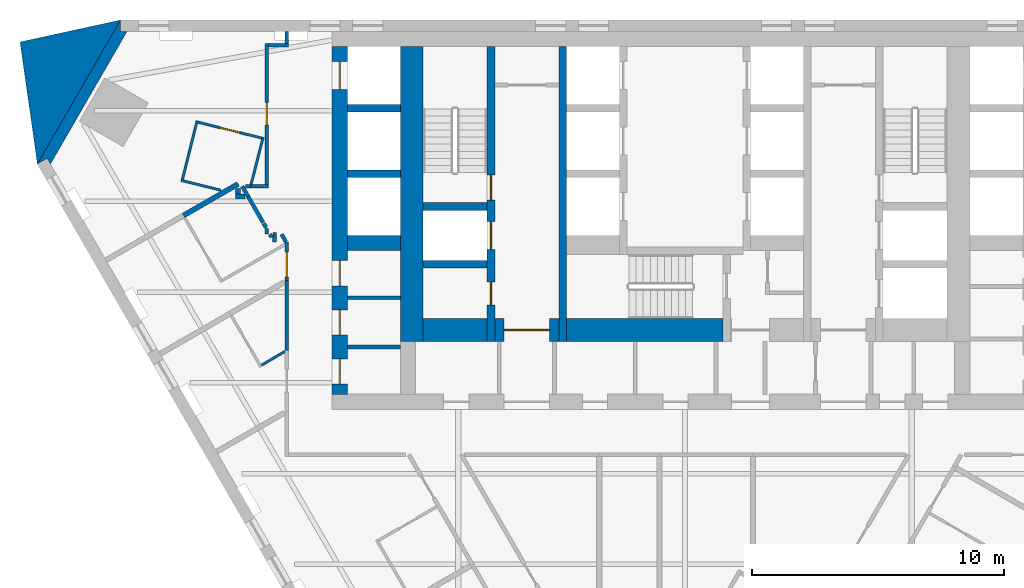
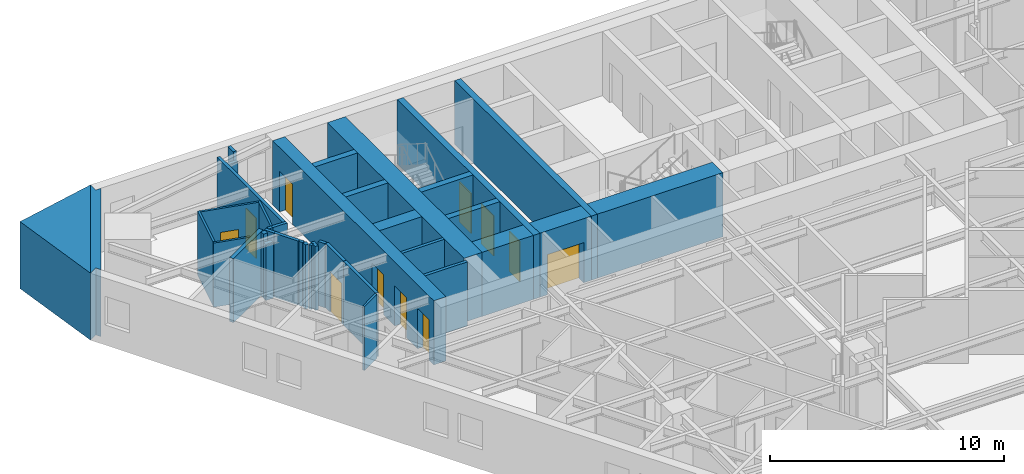
# One storey, part 6 of 11: 38 walls, 11 doors, 11 openings.
"""IFC4 building model written with IfcOpenShell, lengths in metres."""

from ifc_helpers import new_model, si_unit, direction, frame, frame_2d, origin, place, context, subcontext, project, spatial, polyline, rectangle, outline, extrude, material, layer, layer_set, type_object, element, fill, save


model = new_model("IFC4")

# Units and contexts
model_context = context("Model", 3, precision=1e-05, world=origin(), true_north=direction((0.0, 1.0)))
body_context = subcontext(model_context, "Body", "Model", "MODEL_VIEW")
ifc_project = project(units=[si_unit("LENGTHUNIT", "METRE"), si_unit("AREAUNIT", "SQUARE_METRE"), si_unit("VOLUMEUNIT", "CUBIC_METRE"), si_unit("PLANEANGLEUNIT", "RADIAN"), si_unit("MASSUNIT", "GRAM", prefix="KILO")], contexts=[model_context])

# Site, building, storey
site_placement = place(None, origin())
site = spatial("IfcSite", under=ifc_project, at=site_placement, CompositionType="ELEMENT")
building_placement = place(site_placement, origin())
building = spatial("IfcBuilding", under=site, at=building_placement, Name="Aloe Facet Convention Tower", CompositionType="ELEMENT")
storey_placement = place(building_placement, frame((0.0, 0.0, 66.5)))
storey = spatial("IfcBuildingStorey", under=building, at=storey_placement, Name="L15", CompositionType="ELEMENT", Elevation=66.5)

# Walls
ifc_material_1 = material(Name="Concrete blockwork partition", Category="masonry")
ifc_layer_1 = layer(ifc_material_1, 0.14990234375)
ifc_layer_set_1 = layer_set([ifc_layer_1], Name="CR-W-PART150")
wall_type_1 = type_object("IfcWallType", Name="CR-W-PART150", PredefinedType="PARTITIONING", material=ifc_layer_set_1)
for number, where, z_axis, x_axis, name in (
    (1, (66.60009765625, 123.97509765625, 0.0), (0.0, 0.0, 1.0), (1.0, 0.0, 0.0), "Core partition L15-007"),
    (2, (66.60009765625, 122.02490234375, 0.0), (0.0, 0.0, 1.0), (1.0, 0.0, 0.0), "Core partition L15-008"),
):
    element("IfcWall", number, at=place(storey_placement, frame(where, z_axis=z_axis, x_axis=x_axis)), inside=storey, type_object=wall_type_1, Name=name, PredefinedType="PARTITIONING", context=body_context, shape_type="SweptSolid", body=[
        extrude(rectangle(XDim=2.099853515625, YDim=0.14990234375, at=frame_2d((1.0498046875, 0.0))), origin(), (0.0, 0.0, 1.0), 3.35009765625),
    ])
ifc_material_2 = material(Name="Concrete C80/95", Category="concrete")
ifc_layer_2 = layer(ifc_material_2, 0.300048828125)
ifc_layer_set_2 = layer_set([ifc_layer_2], Name="CR-W-RC300-C8095")
wall_type_2 = type_object("IfcWallType", Name="CR-W-RC300-C8095", PredefinedType="SOLIDWALL", material=ifc_layer_set_2)
for number, where, z_axis, x_axis, name in (
    (3, (66.60009765625, 131.5, 0.0), (0.0, 0.0, 1.0), (1.0, 0.0, 0.0), "Core wall L15-004"),
    (4, (66.60009765625, 128.89990234375, 0.0), (0.0, 0.0, 1.0), (1.0, 0.0, 0.0), "Core wall L15-005"),
):
    element("IfcWall", number, at=place(storey_placement, frame(where, z_axis=z_axis, x_axis=x_axis)), inside=storey, type_object=wall_type_2, Name=name, PredefinedType="SOLIDWALL", context=body_context, shape_type="SweptSolid", body=[
        extrude(rectangle(XDim=2.099853515625, YDim=0.300048828125, at=frame_2d((1.0498046875, 0.0))), origin(), (0.0, 0.0, 1.0), 3.35009765625),
    ])
for number, where, z_axis, x_axis, name in (
    (5, (69.60009765625, 127.60009765625, 0.0), (0.0, 0.0, 1.0), (1.0, 0.0, 0.0), "Core wall L15-011"),
    (6, (69.60009765625, 125.300048828125, 0.0), (0.0, 0.0, 1.0), (1.0, 0.0, 0.0), "Core wall L15-012"),
):
    element("IfcWall", number, at=place(storey_placement, frame(where, z_axis=z_axis, x_axis=x_axis)), inside=storey, type_object=wall_type_2, Name=name, PredefinedType="SOLIDWALL", context=body_context, shape_type="SweptSolid", body=[
        extrude(rectangle(XDim=2.5498046875, YDim=0.300048828125, at=frame_2d((1.27490234375, 0.0))), origin(), (0.0, 0.0, 1.0), 3.35009765625),
    ])

# Wall, openings, doors
wall_1_placement = place(storey_placement, frame((72.300048828125, 133.949951171875, 0.0), z_axis=(0.0, 0.0, 1.0), x_axis=(0.0, -1.0, 0.0)))
wall_1 = element("IfcWall", 7, at=wall_1_placement, inside=storey, type_object=wall_type_2, Name="Core wall L15-014", PredefinedType="SOLIDWALL", context=body_context, shape_type="SweptSolid", body=[
    extrude(rectangle(XDim=11.699951171875, YDim=0.300048828125, at=frame_2d((5.85009765625, 0.0))), origin(), (0.0, 0.0, 1.0), 3.35009765625),
])
opening_1_placement = place(wall_1_placement, frame((6.949951171875, 0.0, 0.0)))
opening_1 = element("IfcOpeningElement", 8, at=opening_1_placement, cuts=wall_1, Name="Opening LD-FF1-L15", PredefinedType="OPENING", context=body_context, shape_type="SweptSolid", body=[
    extrude(rectangle(XDim=1.10009765625, YDim=2.10009765625, at=frame_2d((0.550048828125, 1.050048828125))), frame((0.0, 0.16015625, 0.0), z_axis=(0.0, -1.0, 0.0), x_axis=(1.0, 0.0, 0.0)), (0.0, 0.0, 1.0), 0.320068359375),
])
opening_2_placement = place(wall_1_placement, frame((9.35009765625, 0.0, 0.0)))
opening_2 = element("IfcOpeningElement", 9, at=opening_2_placement, cuts=wall_1, Name="Opening L15-CD23", PredefinedType="OPENING", context=body_context, shape_type="SweptSolid", body=[
    extrude(rectangle(XDim=0.89990234375, YDim=2.10009765625, at=frame_2d((0.449951171875, 1.050048828125))), frame((0.0, 0.16015625, 0.0), z_axis=(0.0, -1.0, 0.0), x_axis=(1.0, 0.0, 0.0)), (0.0, 0.0, 1.0), 0.320068359375),
])
opening_3_placement = place(wall_1_placement, frame((5.10009765625, 0.0, 0.0)))
opening_3 = element("IfcOpeningElement", 10, at=opening_3_placement, cuts=wall_1, Name="Opening L15-CD30", PredefinedType="OPENING", context=body_context, shape_type="SweptSolid", body=[
    extrude(rectangle(XDim=1.0, YDim=2.10009765625, at=frame_2d((0.5, 1.050048828125))), frame((0.0, 0.16015625, 0.0), z_axis=(0.0, -1.0, 0.0), x_axis=(1.0, 0.0, 0.0)), (0.0, 0.0, 1.0), 0.320068359375),
])
ifc_material_3 = material(Name="Steel fire-resisting door set FD60", Category="steel")
door_type_1 = type_object("IfcDoorType", Name="CR-D-ROOM-900-FD60-SLEFT", OperationType="SINGLE_SWING_LEFT", PredefinedType="DOOR", material=ifc_material_3)
door_1_placement = place(opening_2_placement, origin())
door_1 = element("IfcDoor", 11, at=door_1_placement, inside=storey, type_object=door_type_1, Name="Core door L15-CD23", OperationType="SINGLE_SWING_LEFT", OverallHeight=2.10009765625, OverallWidth=0.89990234375, PredefinedType="DOOR", context=body_context, shape_type="SweptSolid", body=[
    extrude(rectangle(XDim=0.89990234375, YDim=2.10009765625, at=frame_2d((0.449951171875, 1.050048828125))), frame((0.0, 0.02490234375, 0.0), z_axis=(0.0, -1.0, 0.0), x_axis=(1.0, 0.0, 0.0)), (0.0, 0.0, 1.0), 0.050048828125),
])
fill(opening_2, door_1)
ifc_material_4 = material(Name="Steel fire-resisting door set FD120", Category="steel")
door_type_2 = type_object("IfcDoorType", Name="CR-D-STAIR-1000-FD120-SRIGHT", OperationType="SINGLE_SWING_RIGHT", PredefinedType="DOOR", material=ifc_material_4)
door_2_placement = place(opening_3_placement, origin())
door_2 = element("IfcDoor", 12, at=door_2_placement, inside=storey, type_object=door_type_2, Name="Core door L15-CD30", OperationType="SINGLE_SWING_RIGHT", OverallHeight=2.10009765625, OverallWidth=1.0, PredefinedType="DOOR", context=body_context, shape_type="SweptSolid", body=[
    extrude(rectangle(XDim=1.0, YDim=2.10009765625, at=frame_2d((0.5, 1.050048828125))), frame((0.0, 0.02490234375, 0.0), z_axis=(0.0, -1.0, 0.0), x_axis=(1.0, 0.0, 0.0)), (0.0, 0.0, 1.0), 0.050048828125),
])
fill(opening_3, door_2)
ifc_material_5 = material(Name="Stainless steel sliding landing door", Category="steel")
door_type_3 = type_object("IfcDoorType", Name="CR-LD-1100-FD120-_LEFT", OperationType="SLIDING_TO_LEFT", PredefinedType="DOOR", material=ifc_material_5)
door_3_placement = place(opening_1_placement, origin())
door_3 = element("IfcDoor", 13, at=door_3_placement, inside=storey, type_object=door_type_3, Name="Landing door FF1 L15", OperationType="SLIDING_TO_LEFT", OverallHeight=2.10009765625, OverallWidth=1.10009765625, PredefinedType="DOOR", context=body_context, shape_type="SweptSolid", body=[
    extrude(rectangle(XDim=1.10009765625, YDim=2.10009765625, at=frame_2d((0.550048828125, 1.050048828125))), frame((0.0, 0.02490234375, 0.0), z_axis=(0.0, -1.0, 0.0), x_axis=(1.0, 0.0, 0.0)), (0.0, 0.0, 1.0), 0.050048828125),
])
fill(opening_1, door_3)

# Wall
wall_2_placement = place(storey_placement, frame((75.14990234375, 133.949951171875, 0.0), z_axis=(0.0, 0.0, 1.0), x_axis=(0.0, -1.0, 0.0)))
element("IfcWall", 14, at=wall_2_placement, inside=storey, type_object=wall_type_2, Name="Core wall L15-019", PredefinedType="SOLIDWALL", context=body_context, shape_type="SweptSolid", body=[
    extrude(rectangle(XDim=11.699951171875, YDim=0.300048828125, at=frame_2d((5.85009765625, 0.0))), origin(), (0.0, 0.0, 1.0), 3.35009765625),
])

# Wall, openings, doors
ifc_material_6 = material(Name="Concrete C80/95", Category="concrete")
ifc_layer_3 = layer(ifc_material_6, 0.60009765625)
ifc_layer_set_3 = layer_set([ifc_layer_3], Name="CR-W-RC600-C8095")
wall_type_3 = type_object("IfcWallType", Name="CR-W-RC600-C8095", PredefinedType="SOLIDWALL", material=ifc_layer_set_3)
wall_3_placement = place(storey_placement, frame((66.300048828125, 133.949951171875, 0.0), z_axis=(0.0, 0.0, 1.0), x_axis=(0.0, -1.0, 0.0)))
wall_3 = element("IfcWall", 15, at=wall_3_placement, inside=storey, type_object=wall_type_3, Name="Core wall L15-002", PredefinedType="SOLIDWALL", context=body_context, shape_type="SweptSolid", body=[
    extrude(rectangle(XDim=13.800048828125, YDim=0.60009765625, at=frame_2d((6.89990234375, 0.0))), origin(), (0.0, 0.0, 1.0), 3.35009765625),
])
opening_4_placement = place(wall_3_placement, frame((0.60009765625, 0.0, 0.0)))
opening_4 = element("IfcOpeningElement", 16, at=opening_4_placement, cuts=wall_3, Name="Opening LD-A7-L15", PredefinedType="OPENING", context=body_context, shape_type="SweptSolid", body=[
    extrude(rectangle(XDim=1.10009765625, YDim=2.10009765625, at=frame_2d((0.550048828125, 1.050048828125))), frame((0.0, 0.31005859375, 0.0), z_axis=(0.0, -1.0, 0.0), x_axis=(1.0, 0.0, 0.0)), (0.0, 0.0, 1.0), 0.6201171875),
])
opening_5_placement = place(wall_3_placement, frame((12.39990234375, 0.0, 0.0)))
opening_5 = element("IfcOpeningElement", 17, at=opening_5_placement, cuts=wall_3, Name="Opening L15-CD34", PredefinedType="OPENING", context=body_context, shape_type="SweptSolid", body=[
    extrude(rectangle(XDim=1.0, YDim=2.10009765625, at=frame_2d((0.5, 1.050048828125))), frame((0.0, 0.31005859375, 0.0), z_axis=(0.0, -1.0, 0.0), x_axis=(1.0, 0.0, 0.0)), (0.0, 0.0, 1.0), 0.6201171875),
])
opening_6_placement = place(wall_3_placement, frame((8.5, 0.0, 0.0)))
opening_6 = element("IfcOpeningElement", 18, at=opening_6_placement, cuts=wall_3, Name="Opening L15-CD35", PredefinedType="OPENING", context=body_context, shape_type="SweptSolid", body=[
    extrude(rectangle(XDim=1.0, YDim=2.10009765625, at=frame_2d((0.5, 1.050048828125))), frame((0.0, 0.31005859375, 0.0), z_axis=(0.0, -1.0, 0.0), x_axis=(1.0, 0.0, 0.0)), (0.0, 0.0, 1.0), 0.6201171875),
])
opening_7_placement = place(wall_3_placement, frame((10.449951171875, 0.0, 0.0)))
opening_7 = element("IfcOpeningElement", 19, at=opening_7_placement, cuts=wall_3, Name="Opening L15-CD36", PredefinedType="OPENING", context=body_context, shape_type="SweptSolid", body=[
    extrude(rectangle(XDim=1.0, YDim=2.10009765625, at=frame_2d((0.5, 1.050048828125))), frame((0.0, 0.31005859375, 0.0), z_axis=(0.0, -1.0, 0.0), x_axis=(1.0, 0.0, 0.0)), (0.0, 0.0, 1.0), 0.6201171875),
])
ifc_material_7 = material(Name="Steel fire-resisting door set FD60", Category="steel")
door_type_4 = type_object("IfcDoorType", Name="CR-D-ROOM-1000-FD60-SLEFT", OperationType="SINGLE_SWING_LEFT", PredefinedType="DOOR", material=ifc_material_7)
door_4_placement = place(opening_5_placement, origin())
door_4 = element("IfcDoor", 20, at=door_4_placement, inside=storey, type_object=door_type_4, Name="Core door L15-CD34", OperationType="SINGLE_SWING_LEFT", OverallHeight=2.10009765625, OverallWidth=1.0, PredefinedType="DOOR", context=body_context, shape_type="SweptSolid", body=[
    extrude(rectangle(XDim=1.0, YDim=2.10009765625, at=frame_2d((0.5, 1.050048828125))), frame((0.0, 0.02490234375, 0.0), z_axis=(0.0, -1.0, 0.0), x_axis=(1.0, 0.0, 0.0)), (0.0, 0.0, 1.0), 0.050048828125),
])
fill(opening_5, door_4)
door_5_placement = place(opening_6_placement, origin())
door_5 = element("IfcDoor", 21, at=door_5_placement, inside=storey, type_object=door_type_4, Name="Core door L15-CD35", OperationType="SINGLE_SWING_LEFT", OverallHeight=2.10009765625, OverallWidth=1.0, PredefinedType="DOOR", context=body_context, shape_type="SweptSolid", body=[
    extrude(rectangle(XDim=1.0, YDim=2.10009765625, at=frame_2d((0.5, 1.050048828125))), frame((0.0, 0.02490234375, 0.0), z_axis=(0.0, -1.0, 0.0), x_axis=(1.0, 0.0, 0.0)), (0.0, 0.0, 1.0), 0.050048828125),
])
fill(opening_6, door_5)
door_6_placement = place(opening_7_placement, origin())
door_6 = element("IfcDoor", 22, at=door_6_placement, inside=storey, type_object=door_type_4, Name="Core door L15-CD36", OperationType="SINGLE_SWING_LEFT", OverallHeight=2.10009765625, OverallWidth=1.0, PredefinedType="DOOR", context=body_context, shape_type="SweptSolid", body=[
    extrude(rectangle(XDim=1.0, YDim=2.10009765625, at=frame_2d((0.5, 1.050048828125))), frame((0.0, 0.02490234375, 0.0), z_axis=(0.0, -1.0, 0.0), x_axis=(1.0, 0.0, 0.0)), (0.0, 0.0, 1.0), 0.050048828125),
])
fill(opening_7, door_6)
ifc_material_8 = material(Name="Stainless steel sliding landing door", Category="steel")
door_type_5 = type_object("IfcDoorType", Name="CR-LD-1100-FD60-_LEFT", OperationType="SLIDING_TO_LEFT", PredefinedType="DOOR", material=ifc_material_8)
door_7_placement = place(opening_4_placement, origin())
door_7 = element("IfcDoor", 23, at=door_7_placement, inside=storey, type_object=door_type_5, Name="Landing door A7 L15", OperationType="SLIDING_TO_LEFT", OverallHeight=2.10009765625, OverallWidth=1.10009765625, PredefinedType="DOOR", context=body_context, shape_type="SweptSolid", body=[
    extrude(rectangle(XDim=1.10009765625, YDim=2.10009765625, at=frame_2d((0.550048828125, 1.050048828125))), frame((0.0, 0.02490234375, 0.0), z_axis=(0.0, -1.0, 0.0), x_axis=(1.0, 0.0, 0.0)), (0.0, 0.0, 1.0), 0.050048828125),
])
fill(opening_4, door_7)

# Walls
wall_4_placement = place(storey_placement, frame((66.60009765625, 126.14990234375, 0.0), z_axis=(0.0, 0.0, 1.0), x_axis=(1.0, 0.0, 0.0)))
element("IfcWall", 24, at=wall_4_placement, inside=storey, type_object=wall_type_3, Name="Core wall L15-006", PredefinedType="SOLIDWALL", context=body_context, shape_type="SweptSolid", body=[
    extrude(rectangle(XDim=2.099853515625, YDim=0.60009765625, at=frame_2d((1.0498046875, 0.0))), origin(), (0.0, 0.0, 1.0), 3.35009765625),
])
ifc_material_9 = material(Name="Concrete C80/95", Category="concrete")
ifc_layer_4 = layer(ifc_material_9, 0.89990234375)
ifc_layer_set_4 = layer_set([ifc_layer_4], Name="CR-W-RC900-C8095")
wall_type_4 = type_object("IfcWallType", Name="CR-W-RC900-C8095", PredefinedType="SOLIDWALL", material=ifc_layer_set_4)
wall_5_placement = place(storey_placement, frame((69.14990234375, 133.949951171875, 0.0), z_axis=(0.0, 0.0, 1.0), x_axis=(0.0, -1.0, 0.0)))
element("IfcWall", 25, at=wall_5_placement, inside=storey, type_object=wall_type_4, Name="Core wall L15-009", PredefinedType="SOLIDWALL", context=body_context, shape_type="SweptSolid", body=[
    extrude(rectangle(XDim=11.699951171875, YDim=0.89990234375, at=frame_2d((5.85009765625, 0.0))), origin(), (0.0, 0.0, 1.0), 3.35009765625),
])
wall_6_placement = place(storey_placement, frame((69.60009765625, 122.699951171875, 0.0), z_axis=(0.0, 0.0, 1.0), x_axis=(1.0, 0.0, 0.0)))
element("IfcWall", 26, at=wall_6_placement, inside=storey, type_object=wall_type_4, Name="Core wall L15-013", PredefinedType="SOLIDWALL", context=body_context, shape_type="SweptSolid", body=[
    extrude(rectangle(XDim=2.5498046875, YDim=0.89990234375, at=frame_2d((1.27490234375, 0.0))), origin(), (0.0, 0.0, 1.0), 3.35009765625),
])

# Wall, opening, door
wall_7_placement = place(storey_placement, frame((72.449951171875, 122.699951171875, 0.0), z_axis=(0.0, 0.0, 1.0), x_axis=(1.0, 0.0, 0.0)))
wall_7 = element("IfcWall", 27, at=wall_7_placement, inside=storey, type_object=wall_type_4, Name="Core wall L15-016", PredefinedType="SOLIDWALL", context=body_context, shape_type="SweptSolid", body=[
    extrude(rectangle(XDim=2.550048828125, YDim=0.89990234375, at=frame_2d((1.27490234375, 0.0))), origin(), (0.0, 0.0, 1.0), 3.35009765625),
])
opening_8_placement = place(wall_7_placement, frame((0.375, 0.0, 0.0)))
opening_8 = element("IfcOpeningElement", 28, at=opening_8_placement, cuts=wall_7, Name="Opening L15-CD15", PredefinedType="OPENING", context=body_context, shape_type="SweptSolid", body=[
    extrude(rectangle(XDim=1.800048828125, YDim=2.10009765625, at=frame_2d((0.89990234375, 1.050048828125))), frame((0.0, 0.4599609375, 0.0), z_axis=(0.0, -1.0, 0.0), x_axis=(1.0, 0.0, 0.0)), (0.0, 0.0, 1.0), 0.919921875),
])
ifc_material_10 = material(Name="Steel fire-resisting door set FD120", Category="steel")
door_type_6 = type_object("IfcDoorType", Name="CR-D-EXIT-1800-FD120-DD", OperationType="DOUBLE_DOOR_DOUBLE_SWING", PredefinedType="DOOR", material=ifc_material_10)
door_8_placement = place(opening_8_placement, origin())
door_8 = element("IfcDoor", 29, at=door_8_placement, inside=storey, type_object=door_type_6, Name="Core door L15-CD15", OperationType="DOUBLE_DOOR_DOUBLE_SWING", OverallHeight=2.10009765625, OverallWidth=1.800048828125, PredefinedType="DOOR", context=body_context, shape_type="SweptSolid", body=[
    extrude(rectangle(XDim=1.800048828125, YDim=2.10009765625, at=frame_2d((0.89990234375, 1.050048828125))), frame((0.0, 0.02490234375, 0.0), z_axis=(0.0, -1.0, 0.0), x_axis=(1.0, 0.0, 0.0)), (0.0, 0.0, 1.0), 0.050048828125),
])
fill(opening_8, door_8)

# Walls
wall_8_placement = place(storey_placement, frame((75.300048828125, 122.699951171875, 0.0), z_axis=(0.0, 0.0, 1.0), x_axis=(1.0, 0.0, 0.0)))
element("IfcWall", 30, at=wall_8_placement, inside=storey, type_object=wall_type_4, Name="Core wall L15-023", PredefinedType="SOLIDWALL", context=body_context, shape_type="SweptSolid", body=[
    extrude(rectangle(XDim=6.199951171875, YDim=0.89990234375, at=frame_2d((3.10009765625, 0.0))), origin(), (0.0, 0.0, 1.0), 3.35009765625),
])
ifc_material_11 = material(Name="Precast concrete C40/50", Category="concrete")
ifc_layer_5 = layer(ifc_material_11, 0.449951171875)
ifc_layer_set_5 = layer_set([ifc_layer_5], Name="EV-WALL-PIER")
wall_type_5 = type_object("IfcWallType", Name="EV-WALL-PIER", PredefinedType="SOLIDWALL", material=ifc_layer_set_5)
wall_9_placement = place(storey_placement, frame((0.0, 0.0, -0.14990234375)))
element("IfcWall", 31, at=wall_9_placement, inside=storey, type_object=wall_type_5, Name="EP-L15-A", PredefinedType="SOLIDWALL", context=body_context, shape_type="SweptSolid", body=[
    extrude(outline(polyline([(57.60009765625, 135.0), (57.60009765625, 134.550048828125), (57.85986328125, 134.550048828125), (54.819580078125, 129.2841796875), (54.689697265625, 129.50927734375), (54.300048828125, 129.2841796875), (57.60009765625, 135.0)])), origin(), (0.0, 0.0, 1.0), 3.5),
])
ifc_material_12 = material(Name="Precast concrete C40/50", Category="concrete")
ifc_layer_6 = layer(ifc_material_12, 3.947998046875)
ifc_layer_set_6 = layer_set([ifc_layer_6], Name="EV-WALL-SPINE")
wall_type_6 = type_object("IfcWallType", Name="EV-WALL-SPINE", PredefinedType="SOLIDWALL", material=ifc_layer_set_6)
wall_10_placement = place(storey_placement, frame((0.0, 0.0, -0.14990234375)))
element("IfcWall", 32, at=wall_10_placement, inside=storey, type_object=wall_type_6, Name="SP-NW-L15", PredefinedType="SOLIDWALL", context=body_context, shape_type="SweptSolid", body=[
    extrude(outline(polyline([(57.60009765625, 135.0), (53.611328125, 134.129638671875), (54.300048828125, 129.2841796875), (57.60009765625, 135.0)])), origin(), (0.0, 0.0, 1.0), 3.5),
])

# Wall, opening, door
ifc_material_13 = material(Name="Gypsum board partition on steel studs", Category="steel")
ifc_layer_7 = layer(ifc_material_13, 0.14990234375)
ifc_layer_set_7 = layer_set([ifc_layer_7], Name="IN-W-CORR")
wall_type_7 = type_object("IfcWallType", Name="IN-W-CORR", PredefinedType="PARTITIONING", material=ifc_layer_set_7)
wall_11_placement = place(storey_placement, frame((64.199951171875, 124.65380859375, 0.0), z_axis=(0.0, 0.0, 1.0), x_axis=(0.0, 1.0, 0.0)))
wall_11 = element("IfcWall", 33, at=wall_11_placement, inside=storey, type_object=wall_type_7, Name="Partition L15-W079", PredefinedType="PARTITIONING", context=body_context, shape_type="SweptSolid", body=[
    extrude(rectangle(XDim=1.5380859375, YDim=0.14990234375, at=frame_2d((0.76904296875, 0.0))), origin(), (0.0, 0.0, 1.0), 3.35009765625),
])
opening_9_placement = place(wall_11_placement, frame((0.14990234375, 0.0, 0.0)))
opening_9 = element("IfcOpeningElement", 34, at=opening_9_placement, cuts=wall_11, Name="Opening L15-003", PredefinedType="OPENING", context=body_context, shape_type="SweptSolid", body=[
    extrude(rectangle(XDim=1.0, YDim=2.10009765625, at=frame_2d((0.5, 1.050048828125))), frame((0.0, 0.0849609375, 0.0), z_axis=(0.0, -1.0, 0.0), x_axis=(1.0, 0.0, 0.0)), (0.0, 0.0, 1.0), 0.169921875),
])
ifc_material_14 = material(Name="Hardwood flush door FD30S", Category="wood")
door_type_7 = type_object("IfcDoorType", Name="IN-D-WIDE", OperationType="SINGLE_SWING_LEFT", PredefinedType="DOOR", material=ifc_material_14)
door_9_placement = place(opening_9_placement, origin())
door_9 = element("IfcDoor", 35, at=door_9_placement, inside=storey, type_object=door_type_7, Name="Door L15-003", OperationType="SINGLE_SWING_LEFT", OverallHeight=2.10009765625, OverallWidth=1.0, PredefinedType="DOOR", context=body_context, shape_type="SweptSolid", body=[
    extrude(rectangle(XDim=1.0, YDim=2.10009765625, at=frame_2d((0.5, 1.050048828125))), frame((0.0, 0.02490234375, 0.0), z_axis=(0.0, -1.0, 0.0), x_axis=(1.0, 0.0, 0.0)), (0.0, 0.0, 1.0), 0.050048828125),
])
fill(opening_9, door_9)

# Walls
wall_12_placement = place(storey_placement, frame((64.199951171875, 121.89404296875, 0.0), z_axis=(0.0, 0.0, 1.0), x_axis=(0.0, 1.0, 0.0)))
element("IfcWall", 36, at=wall_12_placement, inside=storey, type_object=wall_type_7, Name="Partition L15-W081", PredefinedType="PARTITIONING", context=body_context, shape_type="SweptSolid", body=[
    extrude(rectangle(XDim=2.759765625, YDim=0.14990234375, at=frame_2d((1.3798828125, 0.0))), origin(), (0.0, 0.0, 1.0), 3.35009765625),
])
wall_13_placement = place(storey_placement, frame((63.990478515625, 126.5, 0.0), z_axis=(0.0, 0.0, 1.0), x_axis=(0.500029427677, -0.866008413041, 0.0)))
element("IfcWall", 37, at=wall_13_placement, inside=storey, type_object=wall_type_7, Name="Partition L15-W084", PredefinedType="PARTITIONING", context=body_context, shape_type="SweptSolid", body=[
    extrude(rectangle(XDim=0.34423828125, YDim=0.14990234375, at=frame_2d((0.172119140625, 0.0))), origin(), (0.0, 0.0, 1.0), 3.35009765625),
])
wall_14_placement = place(storey_placement, frame((63.702880859375, 126.196044921875, 0.0), z_axis=(0.0, 0.0, 1.0), x_axis=(0.048910464365, 0.998803167033, 0.0)))
element("IfcWall", 38, at=wall_14_placement, inside=storey, type_object=wall_type_7, Name="Partition L15-W087", PredefinedType="PARTITIONING", context=body_context, shape_type="SweptSolid", body=[
    extrude(rectangle(XDim=0.37939453125, YDim=0.14990234375, at=frame_2d((0.189697265625, 0.0))), origin(), (0.0, 0.0, 1.0), 3.35009765625),
])
wall_15_placement = place(storey_placement, frame((63.39990234375, 126.5, 0.0), z_axis=(0.0, 0.0, 1.0), x_axis=(0.0, 1.0, 0.0)))
element("IfcWall", 39, at=wall_15_placement, inside=storey, type_object=wall_type_7, Name="Partition L15-W098", PredefinedType="PARTITIONING", context=body_context, shape_type="SweptSolid", body=[
    extrude(rectangle(XDim=0.220458984375, YDim=0.14990234375, at=frame_2d((0.1103515625, 0.0))), origin(), (0.0, 0.0, 1.0), 3.35009765625),
])
wall_16_placement = place(storey_placement, frame((62.661376953125, 128.0, 0.0), z_axis=(0.0, 0.0, 1.0), x_axis=(0.499910707084, -0.866076950936, 0.0)))
element("IfcWall", 40, at=wall_16_placement, inside=storey, type_object=wall_type_7, Name="Partition L15-W102", PredefinedType="PARTITIONING", context=body_context, shape_type="SweptSolid", body=[
    extrude(rectangle(XDim=1.197509765625, YDim=0.14990234375, at=frame_2d((0.5986328125, 0.0))), origin(), (0.0, 0.0, 1.0), 3.35009765625),
])
wall_17_placement = place(storey_placement, frame((62.762451171875, 128.39990234375, 0.0), z_axis=(0.0, 0.0, 1.0), x_axis=(1.0, 0.0, 0.0)))
element("IfcWall", 41, at=wall_17_placement, inside=storey, type_object=wall_type_7, Name="Partition L15-W110", PredefinedType="PARTITIONING", context=body_context, shape_type="SweptSolid", body=[
    extrude(rectangle(XDim=0.712646484375, YDim=0.14990234375, at=frame_2d((0.3564453125, 0.0))), origin(), (0.0, 0.0, 1.0), 3.35009765625),
])

# Wall, opening, door
wall_18_placement = place(storey_placement, frame((63.39990234375, 128.47509765625, 0.0), z_axis=(0.0, 0.0, 1.0), x_axis=(0.0, 1.0, 0.0)))
wall_18 = element("IfcWall", 42, at=wall_18_placement, inside=storey, type_object=wall_type_7, Name="Partition L15-W111", PredefinedType="PARTITIONING", context=body_context, shape_type="SweptSolid", body=[
    extrude(rectangle(XDim=5.599365234375, YDim=0.14990234375, at=frame_2d((2.7998046875, 0.0))), origin(), (0.0, 0.0, 1.0), 3.35009765625),
])
opening_10_placement = place(wall_18_placement, frame((2.349853515625, 0.0, 0.0)))
opening_10 = element("IfcOpeningElement", 43, at=opening_10_placement, cuts=wall_18, Name="Opening L15-002", PredefinedType="OPENING", context=body_context, shape_type="SweptSolid", body=[
    extrude(rectangle(XDim=0.89990234375, YDim=2.10009765625, at=frame_2d((0.449951171875, 1.050048828125))), frame((0.0, 0.0849609375, 0.0), z_axis=(0.0, -1.0, 0.0), x_axis=(1.0, 0.0, 0.0)), (0.0, 0.0, 1.0), 0.169921875),
])
ifc_material_15 = material(Name="Hardwood flush door FD30S", Category="wood")
door_type_8 = type_object("IfcDoorType", Name="IN-D-GUEST", OperationType="SINGLE_SWING_LEFT", PredefinedType="DOOR", material=ifc_material_15)
door_10_placement = place(opening_10_placement, origin())
door_10 = element("IfcDoor", 44, at=door_10_placement, inside=storey, type_object=door_type_8, Name="Door L15-002", OperationType="SINGLE_SWING_LEFT", OverallHeight=2.10009765625, OverallWidth=0.89990234375, PredefinedType="DOOR", context=body_context, shape_type="SweptSolid", body=[
    extrude(rectangle(XDim=0.89990234375, YDim=2.10009765625, at=frame_2d((0.449951171875, 1.050048828125))), frame((0.0, 0.02490234375, 0.0), z_axis=(0.0, -1.0, 0.0), x_axis=(1.0, 0.0, 0.0)), (0.0, 0.0, 1.0), 0.050048828125),
])
fill(opening_10, door_10)

# Walls
wall_19_placement = place(storey_placement, frame((62.4296875, 128.40087890625, 0.0), z_axis=(0.0, 0.0, 1.0), x_axis=(0.500391795928, -0.865799082101, 0.0)))
element("IfcWall", 45, at=wall_19_placement, inside=storey, type_object=wall_type_7, Name="Partition L15-W113", PredefinedType="PARTITIONING", context=body_context, shape_type="SweptSolid", body=[
    extrude(rectangle(XDim=0.463134765625, YDim=0.14990234375, at=frame_2d((0.2314453125, 0.0))), origin(), (0.0, 0.0, 1.0), 3.35009765625),
])
wall_20_placement = place(storey_placement, frame((62.56005859375, 128.400634765625, 0.0), z_axis=(0.0, 0.0, 1.0), x_axis=(0.999993452143, -0.003618794157, 0.0)))
element("IfcWall", 46, at=wall_20_placement, inside=storey, type_object=wall_type_7, Name="Partition L15-W114", PredefinedType="PARTITIONING", context=body_context, shape_type="SweptSolid", body=[
    extrude(rectangle(XDim=0.202392578125, YDim=0.14990234375, at=frame_2d((0.10107421875, 0.0))), origin(), (0.0, 0.0, 1.0), 3.35009765625),
])
wall_21_placement = place(storey_placement, frame((63.47509765625, 133.99951171875, 0.0), z_axis=(0.0, 0.0, 1.0), x_axis=(0.999999813645, 0.000610500497, 0.0)))
element("IfcWall", 47, at=wall_21_placement, inside=storey, type_object=wall_type_7, Name="Partition L15-W127", PredefinedType="PARTITIONING", context=body_context, shape_type="SweptSolid", body=[
    extrude(rectangle(XDim=0.7998046875, YDim=0.14990234375, at=frame_2d((0.39990234375, 0.0))), origin(), (0.0, 0.0, 1.0), 2.88671875),
])
wall_22_placement = place(storey_placement, frame((64.199951171875, 134.074951171875, 0.0), z_axis=(0.0, 0.0, 1.0), x_axis=(0.0, 1.0, 0.0)))
element("IfcWall", 48, at=wall_22_placement, inside=storey, type_object=wall_type_7, Name="Partition L15-W128", PredefinedType="PARTITIONING", context=body_context, shape_type="SweptSolid", body=[
    extrude(rectangle(XDim=0.465087890625, YDim=0.14990234375, at=frame_2d((0.232421875, 0.0))), origin(), (0.0, 0.0, 1.0), 3.35009765625),
])
wall_23_placement = place(storey_placement, frame((63.280029296875, 126.92822265625, 0.0), z_axis=(0.0, 0.0, 1.0), x_axis=(0.500340588408, -0.865828675658, 0.0)))
element("IfcWall", 49, at=wall_23_placement, inside=storey, type_object=wall_type_7, Name="Partition L15-W132", PredefinedType="PARTITIONING", context=body_context, shape_type="SweptSolid", body=[
    extrude(rectangle(XDim=0.193603515625, YDim=0.14990234375, at=frame_2d((0.0966796875, 0.0))), origin(), (0.0, 0.0, 1.0), 3.35009765625),
])
wall_24_placement = place(storey_placement, frame((63.52734375, 126.5, 0.0), z_axis=(0.0, 0.0, 1.0), x_axis=(0.499925626596, -0.866068339032, 0.0)))
element("IfcWall", 50, at=wall_24_placement, inside=storey, type_object=wall_type_7, Name="Partition L15-W133", PredefinedType="PARTITIONING", context=body_context, shape_type="SweptSolid", body=[
    extrude(rectangle(XDim=0.138671875, YDim=0.14990234375, at=frame_2d((0.0693359375, 0.0))), origin(), (0.0, 0.0, 1.0), 3.35009765625),
])
ifc_material_16 = material(Name="Gypsum board partition on steel studs", Category="steel")
ifc_layer_8 = layer(ifc_material_16, 0.10009765625)
ifc_layer_set_8 = layer_set([ifc_layer_8], Name="IN-W-PART")
wall_type_8 = type_object("IfcWallType", Name="IN-W-PART", PredefinedType="PARTITIONING", material=ifc_layer_set_8)
wall_25_placement = place(storey_placement, frame((63.199951171875, 121.305908203125, 0.0), z_axis=(0.0, 0.0, 1.0), x_axis=(0.86196956313, 0.506960030216, 0.0)))
element("IfcWall", 51, at=wall_25_placement, inside=storey, type_object=wall_type_8, Name="Partition L15-W076", PredefinedType="PARTITIONING", context=body_context, shape_type="SweptSolid", body=[
    extrude(rectangle(XDim=1.065185546875, YDim=0.10009765625, at=frame_2d((0.53271484375, 0.0))), origin(), (0.0, 0.0, 1.0), 3.35009765625),
])
wall_26_placement = place(storey_placement, frame((59.99853515625, 128.639892578125, 0.0), z_axis=(0.0, 0.0, 1.0), x_axis=(0.970405790538, -0.241480023377, 0.0)))
element("IfcWall", 52, at=wall_26_placement, inside=storey, type_object=wall_type_8, Name="Partition L15-W107", PredefinedType="PARTITIONING", context=body_context, shape_type="SweptSolid", body=[
    extrude(rectangle(XDim=1.6328125, YDim=0.10009765625, at=frame_2d((0.81640625, 0.0))), origin(), (0.0, 0.0, 1.0), 3.35009765625),
])
wall_27_placement = place(storey_placement, frame((60.0615234375, 128.68603515625, 0.0), z_axis=(0.0, 0.0, 1.0), x_axis=(0.241477948367, 0.97040630689, 0.0)))
element("IfcWall", 53, at=wall_27_placement, inside=storey, type_object=wall_type_8, Name="Partition L15-W121", PredefinedType="PARTITIONING", context=body_context, shape_type="SweptSolid", body=[
    extrude(rectangle(XDim=2.39013671875, YDim=0.10009765625, at=frame_2d((1.195068359375, 0.0))), origin(), (0.0, 0.0, 1.0), 3.35009765625),
])
wall_28_placement = place(storey_placement, frame((62.78076171875, 128.47265625, 0.0), z_axis=(0.0, 0.0, 1.0), x_axis=(0.246470885885, 0.969150196002, 0.0)))
element("IfcWall", 54, at=wall_28_placement, inside=storey, type_object=wall_type_8, Name="Partition L15-W122", PredefinedType="PARTITIONING", context=body_context, shape_type="SweptSolid", body=[
    extrude(rectangle(XDim=1.9404296875, YDim=0.10009765625, at=frame_2d((0.97021484375, 0.0))), origin(), (0.0, 0.0, 1.0), 3.35009765625),
])

# Wall, opening, door
wall_29_placement = place(storey_placement, frame((60.675048828125, 130.94482421875, 0.0), z_axis=(0.0, 0.0, 1.0), x_axis=(0.970401535632, -0.241497121398, 0.0)))
wall_29 = element("IfcWall", 55, at=wall_29_placement, inside=storey, type_object=wall_type_8, Name="Partition L15-W125", PredefinedType="PARTITIONING", context=body_context, shape_type="SweptSolid", body=[
    extrude(rectangle(XDim=2.60009765625, YDim=0.10009765625, at=frame_2d((1.300048828125, 0.0))), origin(), (0.0, 0.0, 1.0), 3.35009765625),
])
opening_11_placement = place(wall_29_placement, frame((0.89990234375, 0.0, 0.0)))
opening_11 = element("IfcOpeningElement", 56, at=opening_11_placement, cuts=wall_29, Name="Opening L15-017", PredefinedType="OPENING", context=body_context, shape_type="SweptSolid", body=[
    extrude(rectangle(XDim=0.800048828125, YDim=2.10009765625, at=frame_2d((0.39990234375, 1.050048828125))), frame((0.0, 0.06005859375, 0.0), z_axis=(0.0, -1.0, 0.0), x_axis=(1.0, 0.0, 0.0)), (0.0, 0.0, 1.0), 0.1201171875),
])
ifc_material_17 = material(Name="Timber flush door", Category="wood")
door_type_9 = type_object("IfcDoorType", Name="IN-D-BATH", OperationType="SINGLE_SWING_LEFT", PredefinedType="DOOR", material=ifc_material_17)
door_11_placement = place(opening_11_placement, origin())
door_11 = element("IfcDoor", 57, at=door_11_placement, inside=storey, type_object=door_type_9, Name="Door L15-017", OperationType="SINGLE_SWING_LEFT", OverallHeight=2.10009765625, OverallWidth=0.800048828125, PredefinedType="DOOR", context=body_context, shape_type="SweptSolid", body=[
    extrude(rectangle(XDim=0.800048828125, YDim=2.10009765625, at=frame_2d((0.39990234375, 1.050048828125))), frame((0.0, 0.02490234375, 0.0), z_axis=(0.0, -1.0, 0.0), x_axis=(1.0, 0.0, 0.0)), (0.0, 0.0, 1.0), 0.050048828125),
])
fill(opening_11, door_11)

# Walls
ifc_material_18 = material(Name="Gypsum board partition on steel studs", Category="steel")
ifc_layer_9 = layer(ifc_material_18, 0.199951171875)
ifc_layer_set_9 = layer_set([ifc_layer_9], Name="IN-W-PARTY")
wall_type_9 = type_object("IfcWallType", Name="IN-W-PARTY", PredefinedType="PARTITIONING", material=ifc_layer_set_9)
wall_30_placement = place(storey_placement, frame((60.096923828125, 127.243408203125, 0.0), z_axis=(0.0, 0.0, 1.0), x_axis=(0.866044309417, 0.499967253055, 0.0)))
element("IfcWall", 58, at=wall_30_placement, inside=storey, type_object=wall_type_9, Name="Partition L15-W100", PredefinedType="PARTITIONING", context=body_context, shape_type="SweptSolid", body=[
    extrude(rectangle(XDim=2.503662109375, YDim=0.199951171875, at=frame_2d((1.251953125, 0.0))), origin(), (0.0, 0.0, 1.0), 3.35009765625),
])
wall_31_placement = place(storey_placement, frame((62.165771484375, 128.0, 0.0), z_axis=(0.0, 0.0, 1.0), x_axis=(1.0, 0.0, 0.0)))
element("IfcWall", 59, at=wall_31_placement, inside=storey, type_object=wall_type_9, Name="Partition L15-W101", PredefinedType="PARTITIONING", context=body_context, shape_type="SweptSolid", body=[
    extrude(rectangle(XDim=0.37060546875, YDim=0.199951171875, at=frame_2d((0.185302734375, 0.0))), origin(), (0.0, 0.0, 1.0), 2.9375),
])
wall_32_placement = place(storey_placement, frame((62.265625, 128.10009765625, 0.0), z_axis=(0.0, 0.0, 1.0), x_axis=(-0.001098900435, 0.999999396209, 0.0)))
element("IfcWall", 60, at=wall_32_placement, inside=storey, type_object=wall_type_9, Name="Partition L15-W119", PredefinedType="PARTITIONING", context=body_context, shape_type="SweptSolid", body=[
    extrude(rectangle(XDim=0.22216796875, YDim=0.199951171875, at=frame_2d((0.111083984375, 0.0))), origin(), (0.0, 0.0, 1.0), 3.35009765625),
])

save(model, "model.ifc")
